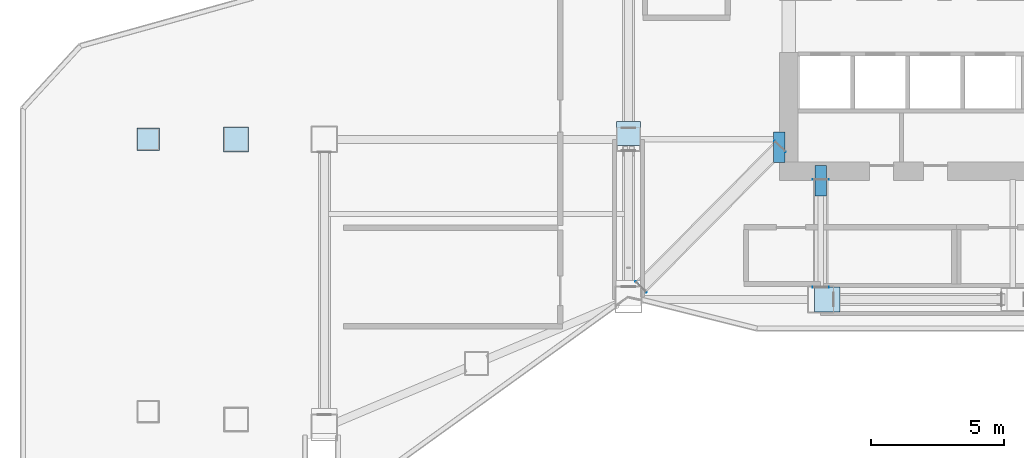
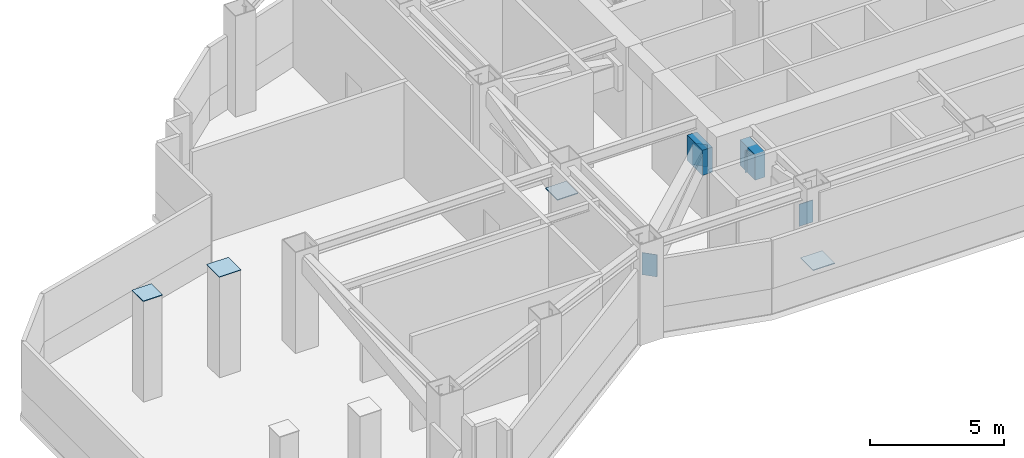
# One storey, part 3 of 24: 10 plates.
"""IFC4 building model written with IfcOpenShell, lengths in metres."""

from ifc_helpers import new_model, si_unit, direction, frame, origin, origin_2d, place, context, subcontext, project, spatial, rectangle, extrude, material, layer, layer_set, type_object, element, save


model = new_model("IFC4")

# Units and contexts
model_context = context("Model", 3, precision=1e-05, world=origin(), true_north=direction((0.0, 1.0)))
body_context = subcontext(model_context, "Body", "Model", "MODEL_VIEW")
ifc_project = project(units=[si_unit("LENGTHUNIT", "METRE"), si_unit("AREAUNIT", "SQUARE_METRE"), si_unit("VOLUMEUNIT", "CUBIC_METRE"), si_unit("PLANEANGLEUNIT", "RADIAN"), si_unit("MASSUNIT", "GRAM", prefix="KILO")], contexts=[model_context])

# Site, building, storey
site_placement = place(None, origin())
site = spatial("IfcSite", under=ifc_project, at=site_placement, CompositionType="ELEMENT")
building_placement = place(site_placement, origin())
building = spatial("IfcBuilding", under=site, at=building_placement, Name="Haolan Belvedere Tower", CompositionType="ELEMENT")
storey_placement = place(building_placement, frame((0.0, 0.0, 160.0)))
storey = spatial("IfcBuildingStorey", under=building, at=storey_placement, Name="L40", CompositionType="ELEMENT", Elevation=160.0)

# Plates
ifc_material_1 = material(Name="Steel Q355B", Category="steel")
ifc_layer_1 = layer(ifc_material_1, 0.02490234375, Name="Steel Q355B")
ifc_layer_set_1 = layer_set([ifc_layer_1], Name="Steel Q355B")
plate_type_1 = type_object("IfcPlateType", Name="PL-CAP-25", PredefinedType="SHEET", material=ifc_layer_set_1)
plate_1_placement = place(storey_placement, frame((6.0, 27.60009765625, 4.60009765625), z_axis=(0.0, 0.0, 1.0), x_axis=(1.0, 0.0, 0.0)))
element("IfcPlate", 1, at=plate_1_placement, inside=storey, type_object=plate_type_1, Name="Hollow steel end-cap plate COL-L40-MC-T1-NW-TCAP", PredefinedType="SHEET", context=body_context, shape_type="SweptSolid", body=[
    extrude(rectangle(XDim=0.840087890625, YDim=0.840087890625, at=origin_2d()), origin(), (0.0, 0.0, 1.0), 0.02490234375),
])
plate_2_placement = place(storey_placement, frame((9.300048828125, 27.60009765625, 4.60009765625), z_axis=(0.0, 0.0, 1.0), x_axis=(1.0, 0.0, 0.0)))
element("IfcPlate", 2, at=plate_2_placement, inside=storey, type_object=plate_type_1, Name="Hollow steel end-cap plate COL-L40-TC-T1-M2-TCAP", PredefinedType="SHEET", context=body_context, shape_type="SweptSolid", body=[
    extrude(rectangle(XDim=0.93994140625, YDim=0.93994140625, at=origin_2d()), origin(), (0.0, 0.0, 1.0), 0.02490234375),
])
for number, where, z_axis, x_axis, name in (
    (3, (29.679931640625, 27.330078125, 2.27490234375), (0.0, 0.0, 1.0), (-0.71020994994, 0.703989933881, 0.0), "Hollow steel end-cap plate OR-W2-L40-BC-CAP0"),
    (4, (24.4658203125, 22.06982421875, 2.27490234375), (0.0, 0.0, 1.0), (0.71020994994, -0.703989933881, 0.0), "Hollow steel end-cap plate OR-W2-L40-BC-CAP1"),
    (5, (31.199951171875, 26.092529296875, 2.27490234375), (0.0, 0.0, 1.0), (-1.0, 0.0, 0.0), "Hollow steel end-cap plate OR-S1-L40-BC-CAP0"),
    (6, (31.199951171875, 22.0576171875, 2.27490234375), (0.0, 0.0, 1.0), (1.0, 0.0, 0.0), "Hollow steel end-cap plate OR-S1-L40-BC-CAP1"),
):
    element("IfcPlate", number, at=place(storey_placement, frame(where, z_axis=z_axis, x_axis=x_axis)), inside=storey, type_object=plate_type_1, Name=name, PredefinedType="SHEET", context=body_context, shape_type="SweptSolid", body=[
        extrude(rectangle(XDim=0.590087890625, YDim=0.02490234375, at=origin_2d()), origin(), (0.0, 0.0, 1.0), 1.010009765625),
    ])
ifc_material_2 = material(Name="Steel Q420GJC", Category="steel")
ifc_layer_2 = layer(ifc_material_2, 0.0400390625, Name="Steel Q420GJC")
ifc_layer_set_2 = layer_set([ifc_layer_2], Name="Steel Q420GJC")
plate_type_2 = type_object("IfcPlateType", Name="PL-NODE-NP02", PredefinedType="USERDEFINED", material=ifc_layer_set_2)
for number, where, z_axis, x_axis, name in (
    (7, (29.64990234375, 27.300048828125, 2.275146484375), (0.0, 0.0, 1.0), (1.0, 0.0, 0.0), "NP-02 outrigger truss core-wall cast-in node plate L40 OR-W2"),
    (8, (31.199951171875, 26.050048828125, 2.275146484375), (0.0, 0.0, 1.0), (1.0, 0.0, 0.0), "NP-02 outrigger truss core-wall cast-in node plate L40 OR-S1"),
):
    element("IfcPlate", number, at=place(storey_placement, frame(where, z_axis=z_axis, x_axis=x_axis)), inside=storey, type_object=plate_type_2, Name=name, ObjectType="GUSSET", PredefinedType="USERDEFINED", context=body_context, shape_type="SweptSolid", body=[
        extrude(rectangle(XDim=0.419921875, YDim=1.14990234375, at=origin_2d()), origin(), (0.0, 0.0, 1.0), 1.14990234375),
    ])
ifc_material_3 = material(Name="Steel Q390GJC", Category="steel")
ifc_layer_3 = layer(ifc_material_3, 0.035888671875, Name="Steel Q390GJC")
ifc_layer_set_3 = layer_set([ifc_layer_3], Name="Steel Q390GJC")
plate_type_3 = type_object("IfcPlateType", Name="PL-NODE-NP03", PredefinedType="USERDEFINED", material=ifc_layer_set_3)
plate_3_placement = place(storey_placement, frame((24.0, 27.820068359375, 2.80224609375), z_axis=(0.0, 0.0, 1.0), x_axis=(1.0, 0.0, 0.0)))
element("IfcPlate", 9, at=plate_3_placement, inside=storey, type_object=plate_type_3, Name="NP-03 belt truss node plate L40 BT-W2", ObjectType="GUSSET", PredefinedType="USERDEFINED", context=body_context, shape_type="SweptSolid", body=[
    extrude(rectangle(XDim=0.889892578125, YDim=0.889892578125, at=origin_2d()), origin(), (0.0, 0.0, 1.0), 0.035888671875),
])
plate_4_placement = place(storey_placement, frame((31.445068359375, 21.60009765625, 0.7822265625), z_axis=(0.0, 0.0, 1.0), x_axis=(1.0, 0.0, 0.0)))
element("IfcPlate", 10, at=plate_4_placement, inside=storey, type_object=plate_type_3, Name="NP-03 belt truss node plate L40 BT-S1", ObjectType="GUSSET", PredefinedType="USERDEFINED", context=body_context, shape_type="SweptSolid", body=[
    extrude(rectangle(XDim=0.93994140625, YDim=0.93994140625, at=origin_2d()), origin(), (0.0, 0.0, 1.0), 0.035888671875),
])

save(model, "model.ifc")
